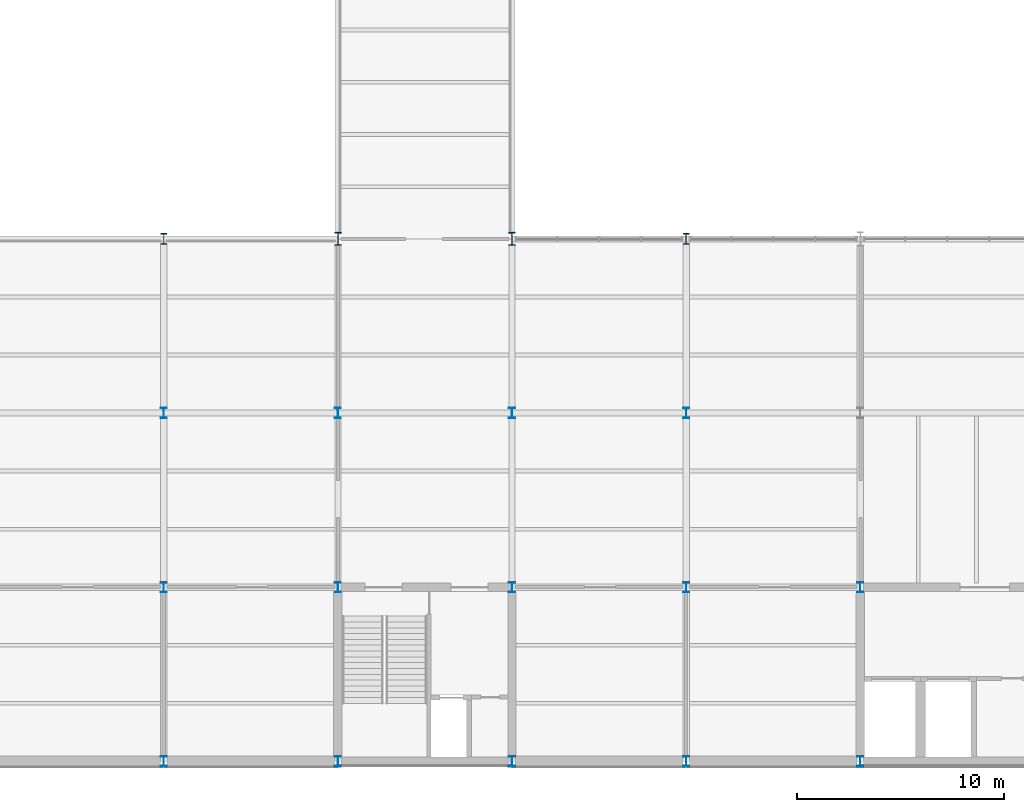
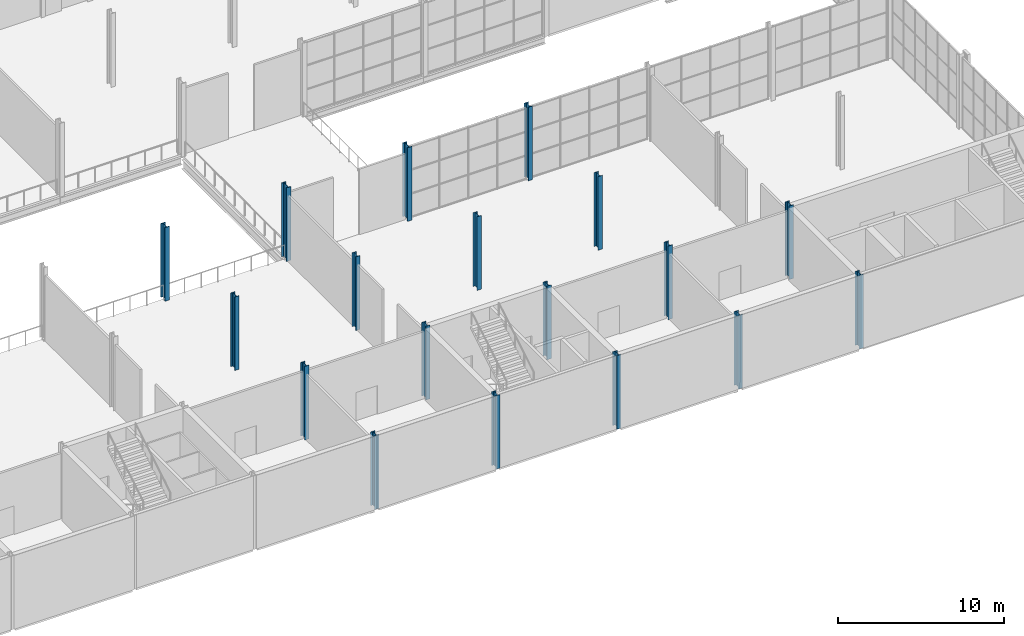
# One storey, part 5 of 64: 18 columns.
"""IFC4 building model written with IfcOpenShell, lengths in metres."""

from ifc_helpers import new_model, si_unit, direction, frame, origin, origin_2d, place, context, subcontext, project, spatial, i_section, extrude, material, material_profile, profile_set, type_object, element, save


model = new_model("IFC4")

# Units and contexts
model_context = context("Model", 3, precision=1e-05, world=origin(), true_north=direction((0.0, 1.0)))
body_context = subcontext(model_context, "Body", "Model", "MODEL_VIEW")
ifc_project = project(units=[si_unit("LENGTHUNIT", "METRE"), si_unit("AREAUNIT", "SQUARE_METRE"), si_unit("VOLUMEUNIT", "CUBIC_METRE"), si_unit("PLANEANGLEUNIT", "RADIAN"), si_unit("MASSUNIT", "GRAM", prefix="KILO")], contexts=[model_context])

# Site, building, storey
site_placement = place(None, origin())
site = spatial("IfcSite", under=ifc_project, at=site_placement, CompositionType="ELEMENT")
building_placement = place(site_placement, origin())
building = spatial("IfcBuilding", under=site, at=building_placement, Name="Galleria Vessillo Department Store", CompositionType="ELEMENT")
storey_placement = place(building_placement, frame((0.0, 0.0, 6.0)))
storey = spatial("IfcBuildingStorey", under=building, at=storey_placement, Name="L01", CompositionType="ELEMENT", Elevation=6.0)

# Columns
ifc_material_1 = material(Name="Steel S355 J2", Category="steel")
ifc_material_profile_1 = material_profile(ifc_material_1, i_section(OverallWidth=0.300048828125, OverallDepth=0.5, WebThickness=0.014404296875, FlangeThickness=0.028076171875, FilletRadius=0.027099609375, at=origin_2d()), Name="HEB 500")
ifc_profile_set_1 = profile_set([ifc_material_profile_1], Name="Steel S355 J2")
column_type_1 = type_object("IfcColumnType", Name="Steel column HEB 500 CP1", PredefinedType="COLUMN", material=ifc_profile_set_1)
for number, where, z_axis, x_axis, name in (
    (1, (67.199951171875, 0.0, 0.0), (0.0, 0.0, 1.0), (1.0, 0.0, 0.0), "S-COL-L01-9-A"),
    (2, (67.199951171875, 8.39990234375, 0.0), (0.0, 0.0, 1.0), (1.0, 0.0, 0.0), "S-COL-L01-9-B"),
    (3, (67.199951171875, 16.800048828125, 0.0), (0.0, 0.0, 1.0), (1.0, 0.0, 0.0), "S-COL-L01-9-C"),
    (4, (75.60009765625, 0.0, 0.0), (0.0, 0.0, 1.0), (1.0, 0.0, 0.0), "S-COL-L01-10-A"),
    (5, (75.60009765625, 8.39990234375, 0.0), (0.0, 0.0, 1.0), (1.0, 0.0, 0.0), "S-COL-L01-10-B"),
    (6, (75.60009765625, 16.800048828125, 0.0), (0.0, 0.0, 1.0), (1.0, 0.0, 0.0), "S-COL-L01-10-C"),
    (7, (84.0, 0.0, 0.0), (0.0, 0.0, 1.0), (1.0, 0.0, 0.0), "S-COL-L01-11-A"),
    (8, (84.0, 8.39990234375, 0.0), (0.0, 0.0, 1.0), (1.0, 0.0, 0.0), "S-COL-L01-11-B"),
    (9, (84.0, 16.800048828125, 0.0), (0.0, 0.0, 1.0), (1.0, 0.0, 0.0), "S-COL-L01-11-C"),
    (10, (92.39990234375, 0.0, 0.0), (0.0, 0.0, 1.0), (1.0, 0.0, 0.0), "S-COL-L01-12-A"),
    (11, (92.39990234375, 8.39990234375, 0.0), (0.0, 0.0, 1.0), (1.0, 0.0, 0.0), "S-COL-L01-12-B"),
    (12, (92.39990234375, 16.800048828125, 0.0), (0.0, 0.0, 1.0), (1.0, 0.0, 0.0), "S-COL-L01-12-C"),
    (13, (100.800048828125, 0.0, 0.0), (0.0, 0.0, 1.0), (1.0, 0.0, 0.0), "S-COL-L01-13-A"),
    (14, (100.800048828125, 8.39990234375, 0.0), (0.0, 0.0, 1.0), (1.0, 0.0, 0.0), "S-COL-L01-13-B"),
):
    element("IfcColumn", number, at=place(storey_placement, frame(where, z_axis=z_axis, x_axis=x_axis)), inside=storey, type_object=column_type_1, Name=name, PredefinedType="COLUMN", context=body_context, shape_type="SweptSolid", body=[
        extrude(i_section(OverallWidth=0.300048828125, OverallDepth=0.5, WebThickness=0.014404296875, FlangeThickness=0.028076171875, FilletRadius=0.027099609375, at=origin_2d()), origin(), (0.0, 0.0, 1.0), 5.39990234375),
    ])
ifc_material_2 = material(Name="Steel S355 J2", Category="steel")
ifc_material_profile_2 = material_profile(ifc_material_2, i_section(OverallWidth=0.305908203125, OverallDepth=0.52392578125, WebThickness=0.02099609375, FlangeThickness=0.0400390625, FilletRadius=0.027099609375, at=origin_2d()), Name="HEM 500")
ifc_profile_set_2 = profile_set([ifc_material_profile_2], Name="Steel S355 J2")
column_type_2 = type_object("IfcColumnType", Name="Steel column HEM 500 CV1", PredefinedType="COLUMN", material=ifc_profile_set_2)
for number, where, z_axis, x_axis, name in (
    (15, (67.199951171875, 25.199951171875, 0.0), (0.0, 0.0, 1.0), (1.0, 0.0, 0.0), "S-COL-L01-9-D"),
    (16, (92.39990234375, 25.199951171875, 0.0), (0.0, 0.0, 1.0), (1.0, 0.0, 0.0), "S-COL-L01-12-D"),
):
    element("IfcColumn", number, at=place(storey_placement, frame(where, z_axis=z_axis, x_axis=x_axis)), inside=storey, type_object=column_type_2, Name=name, PredefinedType="COLUMN", context=body_context, shape_type="SweptSolid", body=[
        extrude(i_section(OverallWidth=0.305908203125, OverallDepth=0.52392578125, WebThickness=0.02099609375, FlangeThickness=0.0400390625, FilletRadius=0.027099609375, at=origin_2d()), origin(), (0.0, 0.0, 1.0), 5.39990234375),
    ])
ifc_material_3 = material(Name="Steel S355 J2", Category="steel")
ifc_material_profile_3 = material_profile(ifc_material_3, i_section(OverallWidth=0.304931640625, OverallDepth=0.6201171875, WebThickness=0.02099609375, FlangeThickness=0.0400390625, FilletRadius=0.027099609375, at=origin_2d()), Name="HEM 600")
ifc_profile_set_3 = profile_set([ifc_material_profile_3], Name="Steel S355 J2")
column_type_3 = type_object("IfcColumnType", Name="Steel column HEM 600 CV2", PredefinedType="COLUMN", material=ifc_profile_set_3)
for number, where, z_axis, x_axis, name in (
    (17, (75.60009765625, 25.199951171875, 0.0), (0.0, 0.0, 1.0), (1.0, 0.0, 0.0), "S-COL-L01-10-D"),
    (18, (84.0, 25.199951171875, 0.0), (0.0, 0.0, 1.0), (1.0, 0.0, 0.0), "S-COL-L01-11-D"),
):
    element("IfcColumn", number, at=place(storey_placement, frame(where, z_axis=z_axis, x_axis=x_axis)), inside=storey, type_object=column_type_3, Name=name, PredefinedType="COLUMN", context=body_context, shape_type="SweptSolid", body=[
        extrude(i_section(OverallWidth=0.304931640625, OverallDepth=0.6201171875, WebThickness=0.02099609375, FlangeThickness=0.0400390625, FilletRadius=0.027099609375, at=origin_2d()), origin(), (0.0, 0.0, 1.0), 5.39990234375),
    ])

save(model, "model.ifc")
